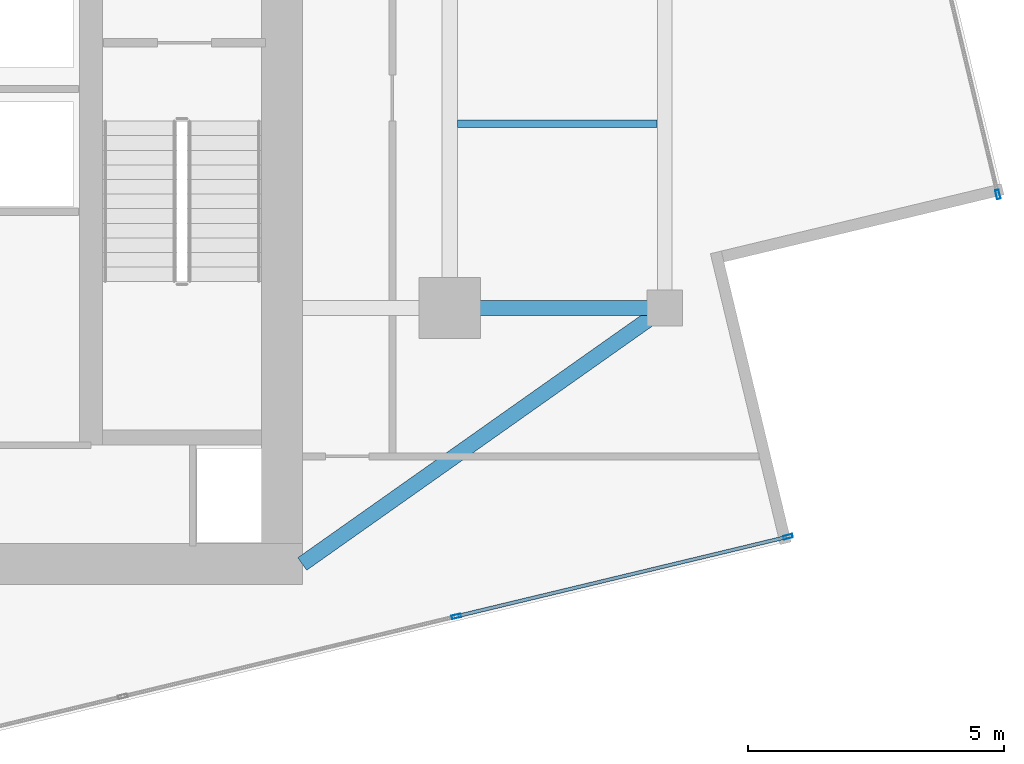
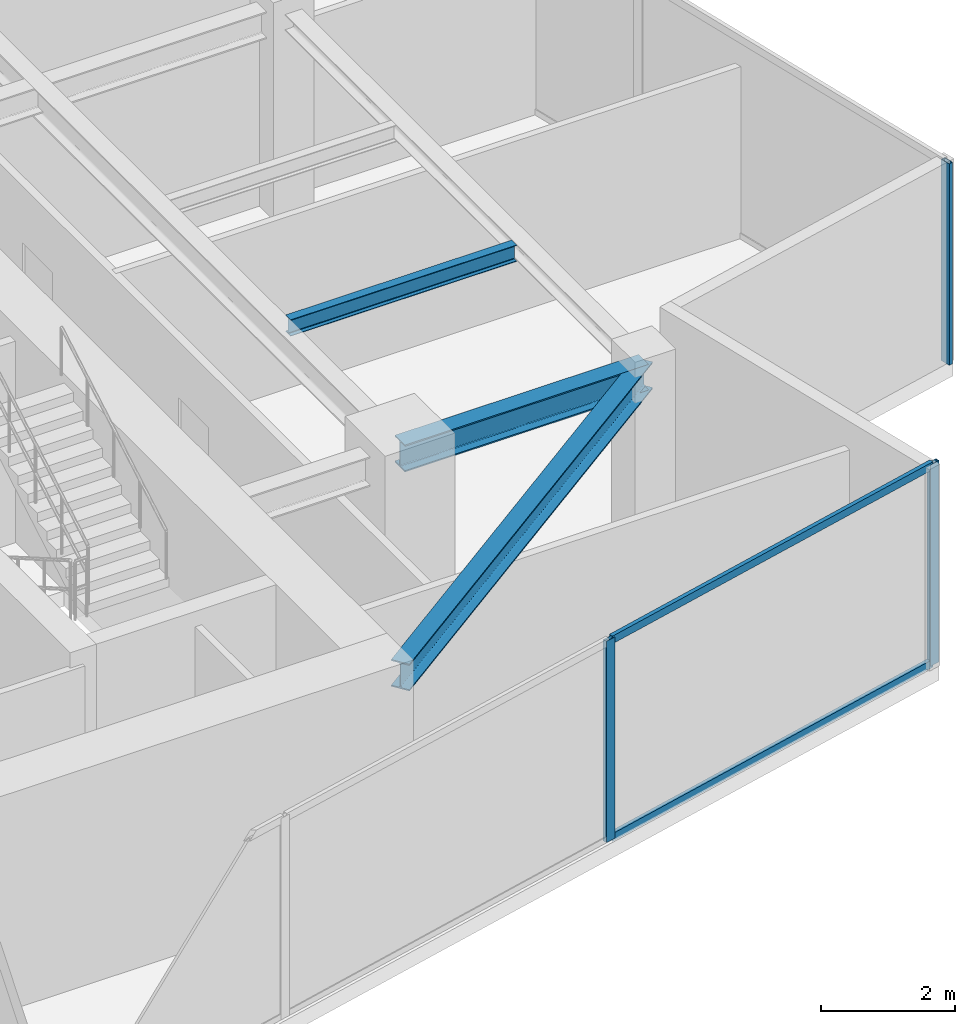
# One storey, part 9 of 22: 5 members, 3 beams, 2 elements without a shape of their own.
"""IFC4 building model written with IfcOpenShell, lengths in metres."""

from ifc_helpers import new_model, si_unit, direction, frame, origin, origin_2d, place, context, subcontext, project, spatial, hollow_rectangle, i_section, extrude, source, transform, mapped, material, material_profile, profile_set, type_object, type_shapes, element, aggregate, save


model = new_model("IFC4")

# Units and contexts
model_context = context("Model", 3, precision=1e-05, world=origin(), true_north=direction((0.0, 1.0)))
body_context = subcontext(model_context, "Body", "Model", "MODEL_VIEW")
ifc_project = project(units=[si_unit("LENGTHUNIT", "METRE"), si_unit("AREAUNIT", "SQUARE_METRE"), si_unit("VOLUMEUNIT", "CUBIC_METRE"), si_unit("PLANEANGLEUNIT", "RADIAN"), si_unit("MASSUNIT", "GRAM", prefix="KILO")], contexts=[model_context])

# Site, building, storey
site_placement = place(None, origin())
site = spatial("IfcSite", under=ifc_project, at=site_placement, CompositionType="ELEMENT")
building_placement = place(site_placement, origin())
building = spatial("IfcBuilding", under=site, at=building_placement, Name="Krantzveldt Concourse Tower", CompositionType="ELEMENT")
storey_placement = place(building_placement, frame((0.0, 0.0, 355.35009765625)))
storey = spatial("IfcBuildingStorey", under=building, at=storey_placement, Name="L87", CompositionType="ELEMENT", Elevation=355.35009765625)

# Beams
ifc_material_1 = material(Name="Steel S355JR", Category="steel")
ifc_material_profile_1 = material_profile(ifc_material_1, i_section(OverallWidth=0.300048828125, OverallDepth=0.489990234375, WebThickness=0.011962890625, FlangeThickness=0.02294921875, FilletRadius=0.027099609375, at=origin_2d()), Name="Steel S355JR", Category="steel")
ifc_profile_set_1 = profile_set([ifc_material_profile_1], Name="Steel S355JR - HEA 500")
beam_type_1 = type_object("IfcBeamType", Name="BM-B-HEA500", PredefinedType="BEAM", material=ifc_profile_set_1)
shared_shape_1 = source(origin(), body_context, "Body", "SweptSolid", [
    extrude(i_section(OverallWidth=0.300048828125, OverallDepth=0.489990234375, WebThickness=0.011962890625, FlangeThickness=0.02294921875, FilletRadius=0.027099609375, at=origin_2d()), origin(), (0.0, 0.0, 1.0), 4.199951171875),
])
beam_1_placement = place(storey_placement, frame((46.800048828125, 15.89990234375, 3.4248046875), z_axis=(1.0, 0.0, 0.0), x_axis=(0.0, 1.0, 0.0)))
element("IfcBeam", 1, at=beam_1_placement, inside=storey, type_object=beam_type_1, Name="L87 Tower Girder BR-RR1", PredefinedType="BEAM", context=body_context, shape_type="MappedRepresentation", body=[
    mapped(shared_shape_1, transform((0.0, 0.0, 0.0), x_axis=(1.0, 0.0, 0.0), y_axis=(0.0, 1.0, 0.0), z_axis=(0.0, 0.0, 1.0), scale=1.0)),
])
shared_shape_2 = source(origin(), body_context, "Body", "SweptSolid", [
    extrude(i_section(OverallWidth=0.300048828125, OverallDepth=0.489990234375, WebThickness=0.011962890625, FlangeThickness=0.02294921875, FilletRadius=0.027099609375, at=origin_2d()), origin(), (0.0, 0.0, 1.0), 8.667724609375),
])
type_shapes(beam_type_1, [shared_shape_1, shared_shape_2])
beam_2_placement = place(storey_placement, frame((51.0, 15.89990234375, 3.4248046875), z_axis=(-0.81684294656, -0.576860122261, 0.0), x_axis=(0.576860122261, -0.81684294656, 0.0)))
element("IfcBeam", 2, at=beam_2_placement, inside=storey, type_object=beam_type_1, Name="L87 Tower Girder BR-CSE", PredefinedType="BEAM", context=body_context, shape_type="MappedRepresentation", body=[
    mapped(shared_shape_2, transform((0.0, 0.0, 0.0), x_axis=(1.0, 0.0, 0.0), y_axis=(0.0, 1.0, 0.0), z_axis=(0.0, 0.0, 1.0), scale=1.0)),
])
ifc_material_profile_2 = material_profile(ifc_material_1, i_section(OverallWidth=0.14990234375, OverallDepth=0.300048828125, WebThickness=0.007080078125, FlangeThickness=0.0107421875, FilletRadius=0.014892578125, at=origin_2d()), Name="Steel S355JR", Category="steel")
ifc_profile_set_2 = profile_set([ifc_material_profile_2], Name="Steel S355JR - IPE 300")
beam_type_2 = type_object("IfcBeamType", Name="BM-J-IPE300", PredefinedType="JOIST", material=ifc_profile_set_2)
shared_shape_3 = source(origin(), body_context, "Body", "SweptSolid", [
    extrude(i_section(OverallWidth=0.14990234375, OverallDepth=0.300048828125, WebThickness=0.007080078125, FlangeThickness=0.0107421875, FilletRadius=0.014892578125, at=origin_2d()), origin(), (0.0, 0.0, 1.0), 3.900146484375),
])
type_shapes(beam_type_2, [shared_shape_3])
beam_3_placement = place(storey_placement, frame((46.949951171875, 19.5, 3.52001953125), z_axis=(1.0, 0.0, 0.0), x_axis=(0.0, 1.0, 0.0)))
element("IfcBeam", 3, at=beam_3_placement, inside=storey, type_object=beam_type_2, Name="L87 Secondary Floor Joist JE-1", PredefinedType="JOIST", context=body_context, shape_type="MappedRepresentation", body=[
    mapped(shared_shape_3, transform((0.0, 0.0, 0.0), x_axis=(1.0, 0.0, 0.0), y_axis=(0.0, 1.0, 0.0), z_axis=(0.0, 0.0, 1.0), scale=1.0)),
])

# Curtain wall, members
ifc_material_2 = material(Name="Anodised aluminium 6063-T6", Category="aluminium")
curtain_wall_type = type_object("IfcCurtainWallType", Name="CW4", PredefinedType="USERDEFINED", material=ifc_material_2)
curtain_wall_1_placement = place(storey_placement, origin())
curtain_wall_1 = element("IfcCurtainWall", 4, at=curtain_wall_1_placement, inside=storey, type_object=curtain_wall_type, Name="CW-L87-F07", ObjectType="UNITISED CURTAIN WALL", PredefinedType="USERDEFINED")
ifc_material_profile_3 = material_profile(ifc_material_2, hollow_rectangle(XDim=0.070068359375, YDim=0.179931640625, WallThickness=0.0048828125, at=origin_2d()), Name="Anodised aluminium 6063-T6", Category="aluminium")
ifc_profile_set_3 = profile_set([ifc_material_profile_3], Name="Anodised aluminium 6063-T6 - ALU-MULL 180x70x5")
member_type_1 = type_object("IfcMemberType", Name="CW-MUL-180", PredefinedType="MULLION", material=ifc_profile_set_3)
shared_shape_4 = source(origin(), body_context, "Body", "SweptSolid", [
    extrude(hollow_rectangle(XDim=0.070068359375, YDim=0.179931640625, WallThickness=0.0048828125, at=origin_2d()), origin(), (0.0, 0.0, 1.0), 3.669921875),
])
type_shapes(member_type_1, [shared_shape_4])
member_1_placement = place(storey_placement, frame((46.929443359375, 9.87646484375, 0.0), z_axis=(0.0, 0.0, 1.0), x_axis=(-0.233445461796, 0.972369896884, 0.0)))
member_1 = element("IfcMember", 5, at=member_1_placement, type_object=member_type_1, Name="CW-Z56 mullion 4", PredefinedType="MULLION", context=body_context, shape_type="MappedRepresentation", body=[
    mapped(shared_shape_4, transform((0.0, 0.0, 0.0), x_axis=(1.0, 0.0, 0.0), y_axis=(0.0, 1.0, 0.0), z_axis=(0.0, 0.0, 1.0), scale=1.0)),
])
member_2_placement = place(storey_placement, frame((53.41015625, 11.432373046875, 0.0), z_axis=(0.0, 0.0, 1.0), x_axis=(-0.233445461796, 0.972369896884, 0.0)))
member_2 = element("IfcMember", 6, at=member_2_placement, type_object=member_type_1, Name="CW-Z56 mullion 5", PredefinedType="MULLION", context=body_context, shape_type="MappedRepresentation", body=[
    mapped(shared_shape_4, transform((0.0, 0.0, 0.0), x_axis=(1.0, 0.0, 0.0), y_axis=(0.0, 1.0, 0.0), z_axis=(0.0, 0.0, 1.0), scale=1.0)),
])

# Curtain wall, member
curtain_wall_2_placement = place(storey_placement, origin())
curtain_wall_2 = element("IfcCurtainWall", 7, at=curtain_wall_2_placement, inside=storey, type_object=curtain_wall_type, Name="CW-L87-F10", ObjectType="UNITISED CURTAIN WALL", PredefinedType="USERDEFINED")
member_3_placement = place(storey_placement, frame((57.507568359375, 18.11865234375, 0.0), z_axis=(0.0, 0.0, 1.0), x_axis=(-0.972369896884, -0.233445461796, 0.0)))
member_3 = element("IfcMember", 8, at=member_3_placement, type_object=member_type_1, Name="CW-Z56 mullion 1", PredefinedType="MULLION", context=body_context, shape_type="MappedRepresentation", body=[
    mapped(shared_shape_4, transform((0.0, 0.0, 0.0), x_axis=(1.0, 0.0, 0.0), y_axis=(0.0, 1.0, 0.0), z_axis=(0.0, 0.0, 1.0), scale=1.0)),
])
aggregate(curtain_wall_2, [member_3])

# Member
ifc_material_profile_4 = material_profile(ifc_material_2, hollow_rectangle(XDim=0.070068359375, YDim=0.139892578125, WallThickness=0.0048828125, at=origin_2d()), Name="Anodised aluminium 6063-T6", Category="aluminium")
ifc_profile_set_4 = profile_set([ifc_material_profile_4], Name="Anodised aluminium 6063-T6 - ALU-TRAN 140x70x5")
member_type_2 = type_object("IfcMemberType", Name="CW-TRN-150", PredefinedType="USERDEFINED", material=ifc_profile_set_4)
shared_shape_5 = source(origin(), body_context, "Body", "SweptSolid", [
    extrude(hollow_rectangle(XDim=0.070068359375, YDim=0.139892578125, WallThickness=0.0048828125, at=origin_2d()), origin(), (0.0, 0.0, 1.0), 6.594970703125),
])
type_shapes(member_type_2, [shared_shape_5])
member_4_placement = place(storey_placement, frame((46.96337890625, 9.884765625, 0.034912109375), z_axis=(0.972371170466, 0.233440156887, 0.0), x_axis=(-0.233440156887, 0.972371170466, 0.0)))
member_4 = element("IfcMember", 9, at=member_4_placement, type_object=member_type_2, Name="CW-Z56 transom 4.1", ObjectType="TRANSOM", PredefinedType="USERDEFINED", context=body_context, shape_type="MappedRepresentation", body=[
    mapped(shared_shape_5, transform((0.0, 0.0, 0.0), x_axis=(1.0, 0.0, 0.0), y_axis=(0.0, 1.0, 0.0), z_axis=(0.0, 0.0, 1.0), scale=1.0)),
])

member_5_placement = place(storey_placement, frame((46.96337890625, 9.884765625, 3.635009765625), z_axis=(0.972371170466, 0.233440156887, 0.0), x_axis=(-0.233440156887, 0.972371170466, 0.0)))
member_5 = element("IfcMember", 10, at=member_5_placement, type_object=member_type_2, Name="CW-Z56 transom 4.2", ObjectType="TRANSOM", PredefinedType="USERDEFINED", context=body_context, shape_type="MappedRepresentation", body=[
    mapped(shared_shape_5, transform((0.0, 0.0, 0.0), x_axis=(1.0, 0.0, 0.0), y_axis=(0.0, 1.0, 0.0), z_axis=(0.0, 0.0, 1.0), scale=1.0)),
])

aggregate(curtain_wall_1, [member_1, member_2, member_4, member_5])

save(model, "model.ifc")
